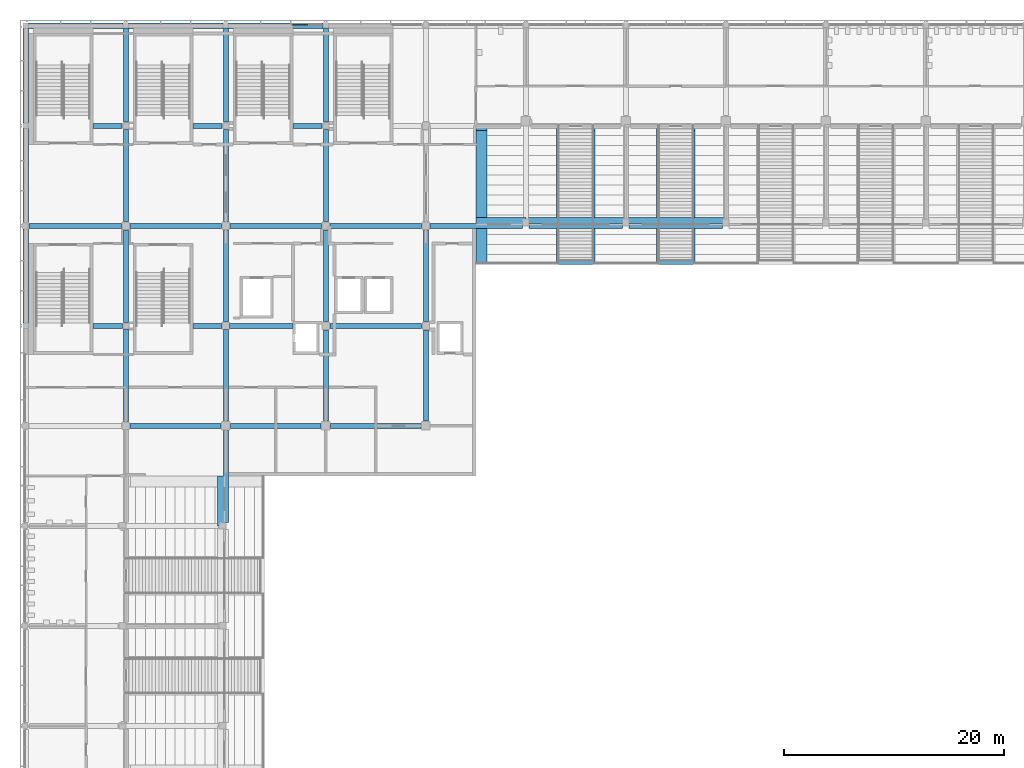
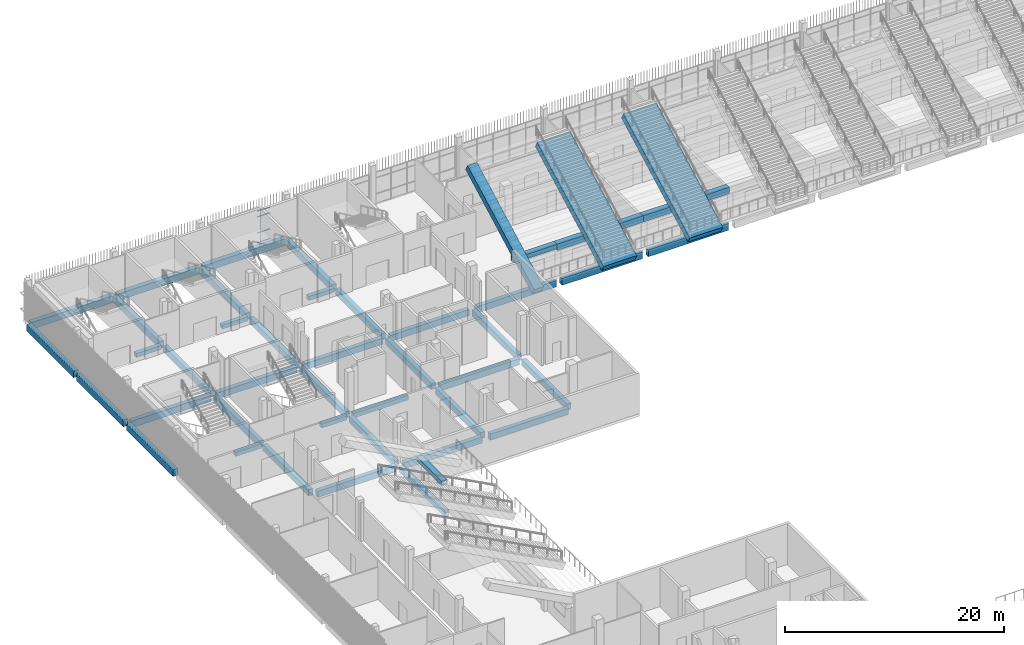
# One storey, part 35 of 139: 45 beams, 4 members, 1 element without a shape of its own.
"""IFC4 building model written with IfcOpenShell, lengths in metres."""

from ifc_helpers import new_model, si_unit, direction, frame, origin, origin_2d, place, context, subcontext, project, spatial, rectangle, hollow_rectangle, extrude, material, layer, layer_set, material_profile, profile_set, type_object, element, aggregate, save


model = new_model("IFC4")

# Units and contexts
model_context = context("Model", 3, precision=1e-05, world=origin(), true_north=direction((0.0, 1.0)))
body_context = subcontext(model_context, "Body", "Model", "MODEL_VIEW")
ifc_project = project(units=[si_unit("LENGTHUNIT", "METRE"), si_unit("AREAUNIT", "SQUARE_METRE"), si_unit("VOLUMEUNIT", "CUBIC_METRE"), si_unit("PLANEANGLEUNIT", "RADIAN"), si_unit("MASSUNIT", "GRAM", prefix="KILO")], contexts=[model_context])

# Site, building, storey
site_placement = place(None, origin())
site = spatial("IfcSite", under=ifc_project, at=site_placement, CompositionType="ELEMENT")
building_placement = place(site_placement, origin())
building = spatial("IfcBuilding", under=site, at=building_placement, Name="Shirokan Park Arena", CompositionType="ELEMENT")
storey_placement = place(building_placement, frame((0.0, 0.0, 15.469970703125)))
storey = spatial("IfcBuildingStorey", under=building, at=storey_placement, Name="L03", CompositionType="ELEMENT", Elevation=15.469970703125)

# Beams
ifc_material_1 = material(Name="Concrete C35", Category="concrete")
ifc_material_profile_1 = material_profile(ifc_material_1, rectangle(XDim=1.0, YDim=0.75, at=origin_2d()), Name="1000x750")
ifc_profile_set_1 = profile_set([ifc_material_profile_1], Name="Concrete C35")
beam_type_1 = type_object("IfcBeamType", Name="RC end raker 1000x750", PredefinedType="USERDEFINED", material=ifc_profile_set_1)
beam_1_placement = place(storey_placement, frame((41.449951171875, 87.676513671875, 1.822509765625), z_axis=(0.0, 0.882357349738, 0.470579969147), x_axis=(-1.0, 0.0, 0.0)))
element("IfcBeam", 1, at=beam_1_placement, inside=storey, type_object=beam_type_1, Name="End raker upper N 1", ObjectType="END RAKER BEAM", PredefinedType="USERDEFINED", context=body_context, shape_type="SweptSolid", body=[
    extrude(rectangle(XDim=1.0, YDim=0.75, at=origin_2d()), origin(), (0.0, 0.0, 1.0), 13.796630859375),
])
ifc_material_profile_2 = material_profile(ifc_material_1, rectangle(XDim=0.449951171875, YDim=0.5, at=origin_2d()), Name="450x500")
ifc_profile_set_2 = profile_set([ifc_material_profile_2], Name="Concrete C35")
beam_type_2 = type_object("IfcBeamType", Name="RC girder 450x500", PredefinedType="BEAM", material=ifc_profile_set_2)
beam_2_placement = place(storey_placement, frame((18.550048828125, 81.89990234375, -0.550048828125), z_axis=(1.0, 0.0, 0.0), x_axis=(0.0, 1.0, 0.0)))
element("IfcBeam", 2, at=beam_2_placement, inside=storey, type_object=beam_type_2, Name="Girder 3K-4K L03", PredefinedType="BEAM", context=body_context, shape_type="SweptSolid", body=[
    extrude(rectangle(XDim=0.449951171875, YDim=0.5, at=origin_2d()), origin(), (0.0, 0.0, 1.0), 5.75),
])
ifc_material_profile_3 = material_profile(ifc_material_1, rectangle(XDim=0.449951171875, YDim=0.699951171875, at=origin_2d()), Name="450x700")
ifc_profile_set_3 = profile_set([ifc_material_profile_3], Name="Concrete C35")
beam_type_3 = type_object("IfcBeamType", Name="RC girder 450x700", PredefinedType="BEAM", material=ifc_profile_set_3)
beam_3_placement = place(storey_placement, frame((9.5, 72.800048828125, -0.64990234375), z_axis=(1.0, 0.0, 0.0), x_axis=(0.0, 1.0, 0.0)))
element("IfcBeam", 3, at=beam_3_placement, inside=storey, type_object=beam_type_3, Name="Girder 2J-3J L03", PredefinedType="BEAM", context=body_context, shape_type="SweptSolid", body=[
    extrude(rectangle(XDim=0.449951171875, YDim=0.699951171875, at=origin_2d()), origin(), (0.0, 0.0, 1.0), 8.27490234375),
])
beam_4_placement = place(storey_placement, frame((9.47509765625, 91.0, -0.64990234375), z_axis=(1.0, 0.0, 0.0), x_axis=(0.0, 1.0, 0.0)))
element("IfcBeam", 4, at=beam_4_placement, inside=storey, type_object=beam_type_3, Name="Girder 2L-3L L03", PredefinedType="BEAM", context=body_context, shape_type="SweptSolid", body=[
    extrude(rectangle(XDim=0.449951171875, YDim=0.699951171875, at=origin_2d()), origin(), (0.0, 0.0, 1.0), 8.32470703125),
])
beam_5_placement = place(storey_placement, frame((18.625, 72.800048828125, -0.64990234375), z_axis=(1.0, 0.0, 0.0), x_axis=(0.0, 1.0, 0.0)))
element("IfcBeam", 5, at=beam_5_placement, inside=storey, type_object=beam_type_3, Name="Girder 3J-4J L03", PredefinedType="BEAM", context=body_context, shape_type="SweptSolid", body=[
    extrude(rectangle(XDim=0.449951171875, YDim=0.699951171875, at=origin_2d()), origin(), (0.0, 0.0, 1.0), 8.25),
])
beam_6_placement = place(storey_placement, frame((18.60009765625, 91.0, -0.64990234375), z_axis=(1.0, 0.0, 0.0), x_axis=(0.0, 1.0, 0.0)))
element("IfcBeam", 6, at=beam_6_placement, inside=storey, type_object=beam_type_3, Name="Girder 3L-4L L03", PredefinedType="BEAM", context=body_context, shape_type="SweptSolid", body=[
    extrude(rectangle(XDim=0.449951171875, YDim=0.699951171875, at=origin_2d()), origin(), (0.0, 0.0, 1.0), 8.2998046875),
])
beam_7_placement = place(storey_placement, frame((27.72509765625, 72.800048828125, -0.64990234375), z_axis=(1.0, 0.0, 0.0), x_axis=(0.0, 1.0, 0.0)))
element("IfcBeam", 7, at=beam_7_placement, inside=storey, type_object=beam_type_3, Name="Girder 4J-5J L03", PredefinedType="BEAM", context=body_context, shape_type="SweptSolid", body=[
    extrude(rectangle(XDim=0.449951171875, YDim=0.699951171875, at=origin_2d()), origin(), (0.0, 0.0, 1.0), 8.249755859375),
])
beam_8_placement = place(storey_placement, frame((27.675048828125, 81.89990234375, -0.64990234375), z_axis=(1.0, 0.0, 0.0), x_axis=(0.0, 1.0, 0.0)))
element("IfcBeam", 8, at=beam_8_placement, inside=storey, type_object=beam_type_3, Name="Girder 4K-5K L03", PredefinedType="BEAM", context=body_context, shape_type="SweptSolid", body=[
    extrude(rectangle(XDim=0.449951171875, YDim=0.699951171875, at=origin_2d()), origin(), (0.0, 0.0, 1.0), 8.349853515625),
])
beam_9_placement = place(storey_placement, frame((27.7001953125, 91.0, -0.64990234375), z_axis=(1.0, 0.0, 0.0), x_axis=(0.0, 1.0, 0.0)))
element("IfcBeam", 9, at=beam_9_placement, inside=storey, type_object=beam_type_3, Name="Girder 4L-5L L03", PredefinedType="BEAM", context=body_context, shape_type="SweptSolid", body=[
    extrude(rectangle(XDim=0.449951171875, YDim=0.699951171875, at=origin_2d()), origin(), (0.0, 0.0, 1.0), 8.2998046875),
])
beam_10_placement = place(storey_placement, frame((36.800048828125, 91.0, -0.64990234375), z_axis=(1.0, 0.0, 0.0), x_axis=(0.0, 1.0, 0.0)))
element("IfcBeam", 10, at=beam_10_placement, inside=storey, type_object=beam_type_3, Name="Girder 5L-6L L03", PredefinedType="BEAM", context=body_context, shape_type="SweptSolid", body=[
    extrude(rectangle(XDim=0.449951171875, YDim=0.699951171875, at=origin_2d()), origin(), (0.0, 0.0, 1.0), 8.39990234375),
])
beam_11_placement = place(storey_placement, frame((9.10009765625, 73.2001953125, -0.64990234375), z_axis=(0.0, 1.0, 0.0), x_axis=(-1.0, 0.0, 0.0)))
element("IfcBeam", 11, at=beam_11_placement, inside=storey, type_object=beam_type_3, Name="Girder 2J-2K L03", PredefinedType="BEAM", context=body_context, shape_type="SweptSolid", body=[
    extrude(rectangle(XDim=0.449951171875, YDim=0.699951171875, at=origin_2d()), origin(), (0.0, 0.0, 1.0), 8.399658203125),
])
beam_12_placement = place(storey_placement, frame((9.10009765625, 91.375, -0.64990234375), z_axis=(0.0, 1.0, 0.0), x_axis=(-1.0, 0.0, 0.0)))
element("IfcBeam", 12, at=beam_12_placement, inside=storey, type_object=beam_type_3, Name="Girder 2L-2M L03", PredefinedType="BEAM", context=body_context, shape_type="SweptSolid", body=[
    extrude(rectangle(XDim=0.449951171875, YDim=0.699951171875, at=origin_2d()), origin(), (0.0, 0.0, 1.0), 8.39990234375),
])
beam_13_placement = place(storey_placement, frame((18.199951171875, 64.025146484375, -0.64990234375), z_axis=(0.0, 1.0, 0.0), x_axis=(-1.0, 0.0, 0.0)))
element("IfcBeam", 13, at=beam_13_placement, inside=storey, type_object=beam_type_3, Name="Girder 3H-3J L03", PredefinedType="BEAM", context=body_context, shape_type="SweptSolid", body=[
    extrude(rectangle(XDim=0.449951171875, YDim=0.699951171875, at=origin_2d()), origin(), (0.0, 0.0, 1.0), 8.349853515625),
])
beam_14_placement = place(storey_placement, frame((18.199951171875, 73.22509765625, -0.64990234375), z_axis=(0.0, 1.0, 0.0), x_axis=(-1.0, 0.0, 0.0)))
element("IfcBeam", 14, at=beam_14_placement, inside=storey, type_object=beam_type_3, Name="Girder 3J-3K L03", PredefinedType="BEAM", context=body_context, shape_type="SweptSolid", body=[
    extrude(rectangle(XDim=0.449951171875, YDim=0.699951171875, at=origin_2d()), origin(), (0.0, 0.0, 1.0), 8.32470703125),
])
beam_15_placement = place(storey_placement, frame((18.199951171875, 82.25, -0.64990234375), z_axis=(0.0, 1.0, 0.0), x_axis=(-1.0, 0.0, 0.0)))
element("IfcBeam", 15, at=beam_15_placement, inside=storey, type_object=beam_type_3, Name="Girder 3K-3L L03", PredefinedType="BEAM", context=body_context, shape_type="SweptSolid", body=[
    extrude(rectangle(XDim=0.449951171875, YDim=0.699951171875, at=origin_2d()), origin(), (0.0, 0.0, 1.0), 8.349853515625),
])
beam_16_placement = place(storey_placement, frame((18.199951171875, 91.400146484375, -0.64990234375), z_axis=(0.0, 1.0, 0.0), x_axis=(-1.0, 0.0, 0.0)))
element("IfcBeam", 16, at=beam_16_placement, inside=storey, type_object=beam_type_3, Name="Girder 3L-3M L03", PredefinedType="BEAM", context=body_context, shape_type="SweptSolid", body=[
    extrude(rectangle(XDim=0.449951171875, YDim=0.699951171875, at=origin_2d()), origin(), (0.0, 0.0, 1.0), 8.374755859375),
])
beam_17_placement = place(storey_placement, frame((27.300048828125, 73.22509765625, -0.64990234375), z_axis=(0.0, 1.0, 0.0), x_axis=(-1.0, 0.0, 0.0)))
element("IfcBeam", 17, at=beam_17_placement, inside=storey, type_object=beam_type_3, Name="Girder 4J-4K L03", PredefinedType="BEAM", context=body_context, shape_type="SweptSolid", body=[
    extrude(rectangle(XDim=0.449951171875, YDim=0.699951171875, at=origin_2d()), origin(), (0.0, 0.0, 1.0), 8.2998046875),
])
beam_18_placement = place(storey_placement, frame((27.300048828125, 82.275146484375, -0.64990234375), z_axis=(0.0, 1.0, 0.0), x_axis=(-1.0, 0.0, 0.0)))
element("IfcBeam", 18, at=beam_18_placement, inside=storey, type_object=beam_type_3, Name="Girder 4K-4L L03", PredefinedType="BEAM", context=body_context, shape_type="SweptSolid", body=[
    extrude(rectangle(XDim=0.449951171875, YDim=0.699951171875, at=origin_2d()), origin(), (0.0, 0.0, 1.0), 8.32470703125),
])
beam_19_placement = place(storey_placement, frame((27.300048828125, 91.400146484375, -0.64990234375), z_axis=(0.0, 1.0, 0.0), x_axis=(-1.0, 0.0, 0.0)))
element("IfcBeam", 19, at=beam_19_placement, inside=storey, type_object=beam_type_3, Name="Girder 4L-4M L03", PredefinedType="BEAM", context=body_context, shape_type="SweptSolid", body=[
    extrude(rectangle(XDim=0.449951171875, YDim=0.699951171875, at=origin_2d()), origin(), (0.0, 0.0, 1.0), 8.374755859375),
])
beam_20_placement = place(storey_placement, frame((36.39990234375, 73.22509765625, -0.64990234375), z_axis=(0.0, 1.0, 0.0), x_axis=(-1.0, 0.0, 0.0)))
element("IfcBeam", 20, at=beam_20_placement, inside=storey, type_object=beam_type_3, Name="Girder 5J-5K L03", PredefinedType="BEAM", context=body_context, shape_type="SweptSolid", body=[
    extrude(rectangle(XDim=0.449951171875, YDim=0.699951171875, at=origin_2d()), origin(), (0.0, 0.0, 1.0), 8.2998046875),
])
beam_21_placement = place(storey_placement, frame((36.39990234375, 82.275146484375, -0.64990234375), z_axis=(0.0, 1.0, 0.0), x_axis=(-1.0, 0.0, 0.0)))
element("IfcBeam", 21, at=beam_21_placement, inside=storey, type_object=beam_type_3, Name="Girder 5K-5L L03", PredefinedType="BEAM", context=body_context, shape_type="SweptSolid", body=[
    extrude(rectangle(XDim=0.449951171875, YDim=0.699951171875, at=origin_2d()), origin(), (0.0, 0.0, 1.0), 8.32470703125),
])
ifc_material_profile_4 = material_profile(ifc_material_1, rectangle(XDim=0.449951171875, YDim=0.75, at=origin_2d()), Name="450x750")
ifc_profile_set_4 = profile_set([ifc_material_profile_4], Name="Concrete C35")
beam_type_4 = type_object("IfcBeamType", Name="RC girder 450x750", PredefinedType="BEAM", material=ifc_profile_set_4)
beam_22_placement = place(storey_placement, frame((0.275146484375, 91.0, -0.675048828125), z_axis=(1.0, 0.0, 0.0), x_axis=(0.0, 1.0, 0.0)))
element("IfcBeam", 22, at=beam_22_placement, inside=storey, type_object=beam_type_4, Name="Girder 1L-2L L03", PredefinedType="BEAM", context=body_context, shape_type="SweptSolid", body=[
    extrude(rectangle(XDim=0.449951171875, YDim=0.75, at=origin_2d()), origin(), (0.0, 0.0, 1.0), 8.44970703125),
])
for number, where, z_axis, x_axis, name in (
    (23, (45.800048828125, 91.0, -0.675048828125), (1.0, 0.0, 0.0), (0.0, 1.0, 0.0), "Girder 6L-7L L03"),
    (24, (54.900146484375, 91.0, -0.675048828125), (1.0, 0.0, 0.0), (0.0, 1.0, 0.0), "Girder 7L-8L L03"),
):
    element("IfcBeam", number, at=place(storey_placement, frame(where, z_axis=z_axis, x_axis=x_axis)), inside=storey, type_object=beam_type_4, Name=name, PredefinedType="BEAM", context=body_context, shape_type="SweptSolid", body=[
        extrude(rectangle(XDim=0.449951171875, YDim=0.75, at=origin_2d()), origin(), (0.0, 0.0, 1.0), 8.499755859375),
    ])
beam_23_placement = place(storey_placement, frame((9.10009765625, 82.2001953125, -0.675048828125), z_axis=(0.0, 1.0, 0.0), x_axis=(-1.0, 0.0, 0.0)))
element("IfcBeam", 25, at=beam_23_placement, inside=storey, type_object=beam_type_4, Name="Girder 2K-2L L03", PredefinedType="BEAM", context=body_context, shape_type="SweptSolid", body=[
    extrude(rectangle(XDim=0.449951171875, YDim=0.75, at=origin_2d()), origin(), (0.0, 0.0, 1.0), 8.4248046875),
])
for number, where, z_axis, x_axis, name in (
    (26, (9.10009765625, 100.425048828125, -0.675048828125), (0.0, 1.0, 0.0), (-1.0, 0.0, 0.0), "Girder 2M-2N L03"),
    (27, (18.199951171875, 100.425048828125, -0.675048828125), (0.0, 1.0, 0.0), (-1.0, 0.0, 0.0), "Girder 3M-3N L03"),
    (28, (27.300048828125, 100.425048828125, -0.675048828125), (0.0, 1.0, 0.0), (-1.0, 0.0, 0.0), "Girder 4M-4N L03"),
):
    element("IfcBeam", number, at=place(storey_placement, frame(where, z_axis=z_axis, x_axis=x_axis)), inside=storey, type_object=beam_type_4, Name=name, PredefinedType="BEAM", context=body_context, shape_type="SweptSolid", body=[
        extrude(rectangle(XDim=0.449951171875, YDim=0.75, at=origin_2d()), origin(), (0.0, 0.0, 1.0), 8.5498046875),
    ])
ifc_material_profile_5 = material_profile(ifc_material_1, rectangle(XDim=0.5, YDim=0.75, at=origin_2d()), Name="500x750")
ifc_profile_set_5 = profile_set([ifc_material_profile_5], Name="Concrete C35")
beam_type_5 = type_object("IfcBeamType", Name="RC girder 500x750", PredefinedType="BEAM", material=ifc_profile_set_5)
for number, where, z_axis, x_axis, name in (
    (29, (0.25, 109.199951171875, -0.675048828125), (1.0, 0.0, 0.0), (0.0, 1.0, 0.0), "Girder 1N-2N L03"),
    (30, (9.35009765625, 109.199951171875, -0.675048828125), (1.0, 0.0, 0.0), (0.0, 1.0, 0.0), "Girder 2N-3N L03"),
):
    element("IfcBeam", number, at=place(storey_placement, frame(where, z_axis=z_axis, x_axis=x_axis)), inside=storey, type_object=beam_type_5, Name=name, PredefinedType="BEAM", context=body_context, shape_type="SweptSolid", body=[
        extrude(rectangle(XDim=0.5, YDim=0.75, at=origin_2d()), origin(), (0.0, 0.0, 1.0), 8.599853515625),
    ])
beam_24_placement = place(storey_placement, frame((18.4501953125, 109.199951171875, -0.675048828125), z_axis=(1.0, 0.0, 0.0), x_axis=(0.0, 1.0, 0.0)))
element("IfcBeam", 31, at=beam_24_placement, inside=storey, type_object=beam_type_5, Name="Girder 3N-4N L03", PredefinedType="BEAM", context=body_context, shape_type="SweptSolid", body=[
    extrude(rectangle(XDim=0.5, YDim=0.75, at=origin_2d()), origin(), (0.0, 0.0, 1.0), 8.599609375),
])
for number, where, z_axis, x_axis, name in (
    (32, (0.0, 82.150146484375, -0.675048828125), (0.0, 1.0, 0.0), (-1.0, 0.0, 0.0), "Girder 1K-1L L03"),
    (33, (0.0, 91.300048828125, -0.675048828125), (0.0, 1.0, 0.0), (-1.0, 0.0, 0.0), "Girder 1L-1M L03"),
):
    element("IfcBeam", number, at=place(storey_placement, frame(where, z_axis=z_axis, x_axis=x_axis)), inside=storey, type_object=beam_type_5, Name=name, PredefinedType="BEAM", context=body_context, shape_type="SweptSolid", body=[
        extrude(rectangle(XDim=0.5, YDim=0.75, at=origin_2d()), origin(), (0.0, 0.0, 1.0), 8.5498046875),
    ])
beam_25_placement = place(storey_placement, frame((0.0, 100.35009765625, -0.675048828125), z_axis=(0.0, 1.0, 0.0), x_axis=(-1.0, 0.0, 0.0)))
element("IfcBeam", 34, at=beam_25_placement, inside=storey, type_object=beam_type_5, Name="Girder 1M-1N L03", PredefinedType="BEAM", context=body_context, shape_type="SweptSolid", body=[
    extrude(rectangle(XDim=0.5, YDim=0.75, at=origin_2d()), origin(), (0.0, 0.0, 1.0), 8.599853515625),
])
ifc_material_profile_6 = material_profile(ifc_material_1, rectangle(XDim=3.5, YDim=0.75, at=origin_2d()), Name="3500x750")
ifc_profile_set_6 = profile_set([ifc_material_profile_6], Name="Concrete C35")
beam_type_6 = type_object("IfcBeamType", Name="RC raker 3500x750", PredefinedType="USERDEFINED", material=ifc_profile_set_6)
for number, where, z_axis, x_axis, name in (
    (35, (50.050048828125, 87.676513671875, 1.822509765625), (0.0, 0.882357349738, 0.470579969147), (-1.0, 0.0, 0.0), "Raker upper N 1"),
    (36, (59.14990234375, 87.676513671875, 1.822509765625), (0.0, 0.882357349738, 0.470579969147), (-1.0, 0.0, 0.0), "Raker upper N 2"),
):
    element("IfcBeam", number, at=place(storey_placement, frame(where, z_axis=z_axis, x_axis=x_axis)), inside=storey, type_object=beam_type_6, Name=name, ObjectType="RAKER BEAM", PredefinedType="USERDEFINED", context=body_context, shape_type="SweptSolid", body=[
        extrude(rectangle(XDim=3.5, YDim=0.75, at=origin_2d()), origin(), (0.0, 0.0, 1.0), 13.796630859375),
    ])
ifc_material_profile_7 = material_profile(ifc_material_1, rectangle(XDim=0.60009765625, YDim=0.699951171875, at=origin_2d()), Name="600x700")
ifc_profile_set_7 = profile_set([ifc_material_profile_7], Name="Concrete C35")
beam_type_7 = type_object("IfcBeamType", Name="RC stand girder 600x700", PredefinedType="BEAM", material=ifc_profile_set_7)
beam_26_placement = place(storey_placement, frame((45.5, 91.449951171875, 3.06005859375), z_axis=(1.0, 0.0, 0.0), x_axis=(0.0, 1.0, 0.0)))
element("IfcBeam", 37, at=beam_26_placement, inside=storey, type_object=beam_type_7, Name="Stand girder N R3 2", PredefinedType="BEAM", context=body_context, shape_type="SweptSolid", body=[
    extrude(rectangle(XDim=0.60009765625, YDim=0.699951171875, at=origin_2d()), origin(), (0.0, 0.0, 1.0), 9.10009765625),
])
beam_27_placement = place(storey_placement, frame((54.60009765625, 91.449951171875, 3.06005859375), z_axis=(1.0, 0.0, 0.0), x_axis=(0.0, 1.0, 0.0)))
element("IfcBeam", 38, at=beam_27_placement, inside=storey, type_object=beam_type_7, Name="Stand girder N R3 3", PredefinedType="BEAM", context=body_context, shape_type="SweptSolid", body=[
    extrude(rectangle(XDim=0.60009765625, YDim=0.699951171875, at=origin_2d()), origin(), (0.0, 0.0, 1.0), 9.099853515625),
])
ifc_material_profile_8 = material_profile(ifc_material_1, rectangle(XDim=0.60009765625, YDim=0.5, at=origin_2d()), Name="600x500")
ifc_profile_set_8 = profile_set([ifc_material_profile_8], Name="Concrete C35")
beam_type_8 = type_object("IfcBeamType", Name="RC stand girder end bay 600x500", PredefinedType="BEAM", material=ifc_profile_set_8)
for number, where, z_axis, x_axis, name in (
    (39, (40.949951171875, 91.449951171875, 3.159912109375), (1.0, 0.0, 0.0), (0.0, 1.0, 0.0), "Stand girder N R3 1"),
    (40, (17.75, 63.699951171875, 3.159912109375), (0.0, 1.0, 0.0), (-1.0, 0.0, 0.0), "Stand girder W R3 4"),
):
    element("IfcBeam", number, at=place(storey_placement, frame(where, z_axis=z_axis, x_axis=x_axis)), inside=storey, type_object=beam_type_8, Name=name, PredefinedType="BEAM", context=body_context, shape_type="SweptSolid", body=[
        extrude(rectangle(XDim=0.60009765625, YDim=0.5, at=origin_2d()), origin(), (0.0, 0.0, 1.0), 4.550048828125),
    ])
ifc_material_profile_9 = material_profile(ifc_material_1, rectangle(XDim=0.449951171875, YDim=0.449951171875, at=origin_2d()), Name="450x450")
ifc_profile_set_9 = profile_set([ifc_material_profile_9], Name="Concrete C35")
beam_type_9 = type_object("IfcBeamType", Name="RC trimmer 450x450", PredefinedType="BEAM", material=ifc_profile_set_9)
beam_28_placement = place(storey_placement, frame((6.10009765625, 81.89990234375, -0.52490234375), z_axis=(1.0, 0.0, 0.0), x_axis=(0.0, 1.0, 0.0)))
element("IfcBeam", 41, at=beam_28_placement, inside=storey, type_object=beam_type_9, Name="Girder 1K-2K L03", PredefinedType="BEAM", context=body_context, shape_type="SweptSolid", body=[
    extrude(rectangle(XDim=0.449951171875, YDim=0.449951171875, at=origin_2d()), origin(), (0.0, 0.0, 1.0), 2.69970703125),
])
beam_29_placement = place(storey_placement, frame((6.10009765625, 100.10009765625, -0.52490234375), z_axis=(1.0, 0.0, 0.0), x_axis=(0.0, 1.0, 0.0)))
element("IfcBeam", 42, at=beam_29_placement, inside=storey, type_object=beam_type_9, Name="Girder 1M-2M L03", PredefinedType="BEAM", context=body_context, shape_type="SweptSolid", body=[
    extrude(rectangle(XDim=0.449951171875, YDim=0.449951171875, at=origin_2d()), origin(), (0.0, 0.0, 1.0), 2.6748046875),
])
beam_30_placement = place(storey_placement, frame((15.199951171875, 81.89990234375, -0.52490234375), z_axis=(1.0, 0.0, 0.0), x_axis=(0.0, 1.0, 0.0)))
element("IfcBeam", 43, at=beam_30_placement, inside=storey, type_object=beam_type_9, Name="Girder 2K-3K L03", PredefinedType="BEAM", context=body_context, shape_type="SweptSolid", body=[
    extrude(rectangle(XDim=0.449951171875, YDim=0.449951171875, at=origin_2d()), origin(), (0.0, 0.0, 1.0), 2.64990234375),
])
beam_31_placement = place(storey_placement, frame((15.199951171875, 100.10009765625, -0.52490234375), z_axis=(1.0, 0.0, 0.0), x_axis=(0.0, 1.0, 0.0)))
element("IfcBeam", 44, at=beam_31_placement, inside=storey, type_object=beam_type_9, Name="Girder 2M-3M L03", PredefinedType="BEAM", context=body_context, shape_type="SweptSolid", body=[
    extrude(rectangle(XDim=0.449951171875, YDim=0.449951171875, at=origin_2d()), origin(), (0.0, 0.0, 1.0), 2.675048828125),
])
beam_32_placement = place(storey_placement, frame((24.300048828125, 100.10009765625, -0.52490234375), z_axis=(1.0, 0.0, 0.0), x_axis=(0.0, 1.0, 0.0)))
element("IfcBeam", 45, at=beam_32_placement, inside=storey, type_object=beam_type_9, Name="Girder 3M-4M L03", PredefinedType="BEAM", context=body_context, shape_type="SweptSolid", body=[
    extrude(rectangle(XDim=0.449951171875, YDim=0.449951171875, at=origin_2d()), origin(), (0.0, 0.0, 1.0), 2.6748046875),
])

# Curtain wall, members
ifc_material_2 = material(Name="Steel and glass curtain wall", Category="steel")
ifc_layer = layer(ifc_material_2, 0.1201171875)
ifc_layer_set = layer_set([ifc_layer], Name="Steel and glass curtain wall 120 mm")
curtain_wall_type = type_object("IfcCurtainWallType", Name="Curtain wall corner block side bay 120", PredefinedType="NOTDEFINED", material=ifc_layer_set)
curtain_wall_placement = place(storey_placement, origin())
curtain_wall = element("IfcCurtainWall", 46, at=curtain_wall_placement, inside=storey, type_object=curtain_wall_type, Name="Curtain wall north bay 14 L03", PredefinedType="NOTDEFINED")
ifc_material_3 = material(Name="Steel S355", Category="steel")
ifc_material_profile_10 = material_profile(ifc_material_3, hollow_rectangle(XDim=0.06005859375, YDim=0.0400390625, WallThickness=0.00390625, at=origin_2d()), Name="RHS 60x40x4")
ifc_profile_set_10 = profile_set([ifc_material_profile_10], Name="Steel S355")
member_type = type_object("IfcMemberType", Name="Transom RHS 60x40x4", PredefinedType="MULLION", material=ifc_profile_set_10)
member_1_placement = place(storey_placement, frame((25.64990234375, 109.2900390625, 0.02001953125), z_axis=(-1.0, 0.0, 0.0), x_axis=(0.0, -1.0, 0.0)))
member_1 = element("IfcMember", 47, at=member_1_placement, type_object=member_type, Name="CW3 transom 2.1", PredefinedType="MULLION", context=body_context, shape_type="SweptSolid", body=[
    extrude(hollow_rectangle(XDim=0.06005859375, YDim=0.0400390625, WallThickness=0.00390625, at=origin_2d()), origin(), (0.0, 0.0, 1.0), 1.349853515625),
])
member_2_placement = place(storey_placement, frame((25.64990234375, 109.2900390625, 1.10009765625), z_axis=(-1.0, 0.0, 0.0), x_axis=(0.0, -1.0, 0.0)))
member_2 = element("IfcMember", 48, at=member_2_placement, type_object=member_type, Name="CW3 transom 2.2", PredefinedType="MULLION", context=body_context, shape_type="SweptSolid", body=[
    extrude(hollow_rectangle(XDim=0.06005859375, YDim=0.0400390625, WallThickness=0.00390625, at=origin_2d()), origin(), (0.0, 0.0, 1.0), 1.349853515625),
])
member_3_placement = place(storey_placement, frame((25.64990234375, 109.2900390625, 2.900146484375), z_axis=(-1.0, 0.0, 0.0), x_axis=(0.0, -1.0, 0.0)))
member_3 = element("IfcMember", 49, at=member_3_placement, type_object=member_type, Name="CW3 transom 2.3", PredefinedType="MULLION", context=body_context, shape_type="SweptSolid", body=[
    extrude(hollow_rectangle(XDim=0.06005859375, YDim=0.0400390625, WallThickness=0.00390625, at=origin_2d()), origin(), (0.0, 0.0, 1.0), 1.349853515625),
])
member_4_placement = place(storey_placement, frame((25.64990234375, 109.2900390625, 3.530029296875), z_axis=(-1.0, 0.0, 0.0), x_axis=(0.0, -1.0, 0.0)))
member_4 = element("IfcMember", 50, at=member_4_placement, type_object=member_type, Name="CW3 transom 2.4", PredefinedType="MULLION", context=body_context, shape_type="SweptSolid", body=[
    extrude(hollow_rectangle(XDim=0.06005859375, YDim=0.0400390625, WallThickness=0.00390625, at=origin_2d()), origin(), (0.0, 0.0, 1.0), 1.349853515625),
])
aggregate(curtain_wall, [member_1, member_2, member_3, member_4])

save(model, "model.ifc")
